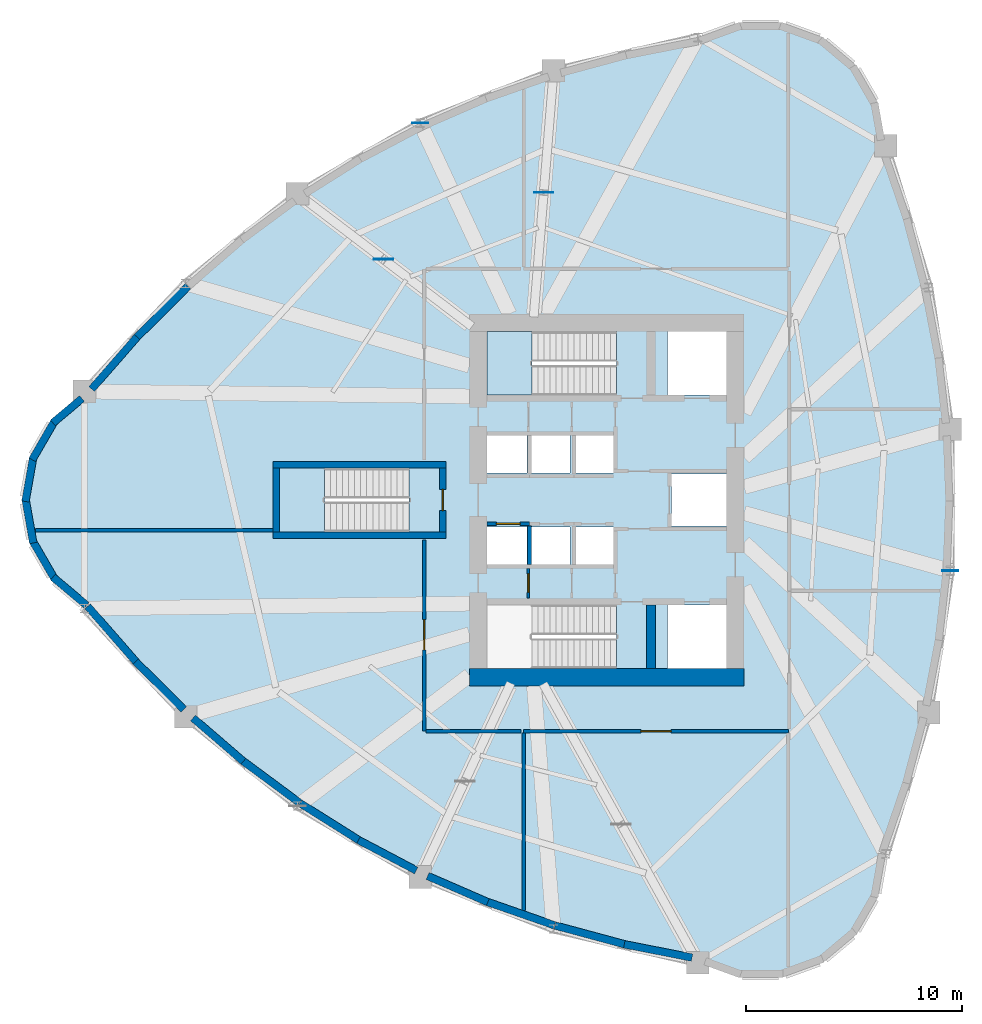
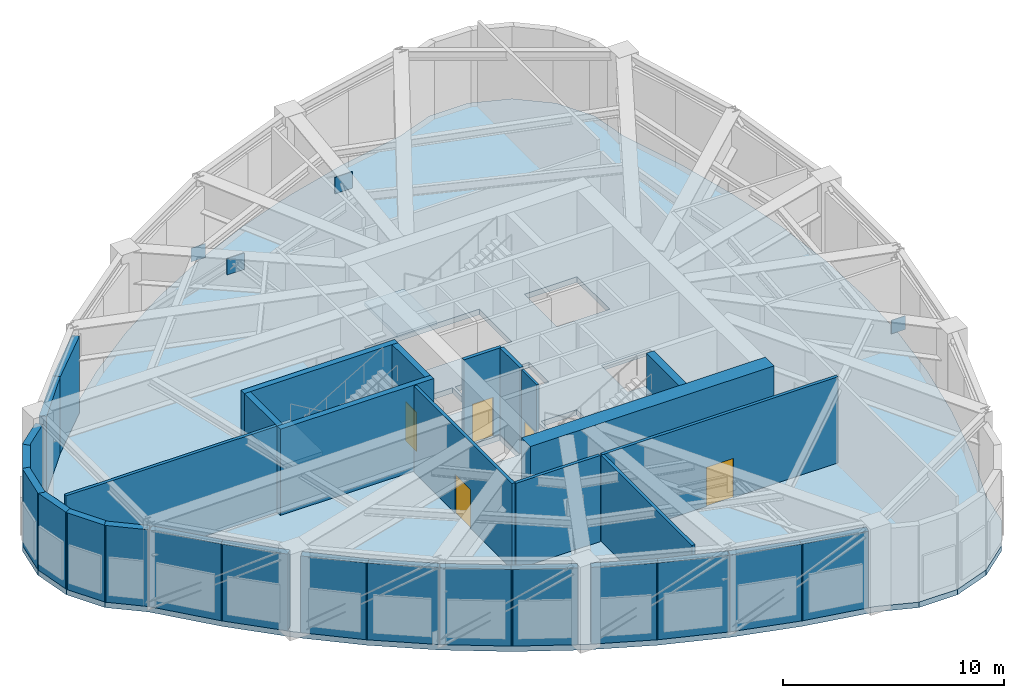
# One storey, part 3 of 9: 32 walls, 5 doors, 4 plates, 3 slabs, 5 openings, 2 elements without a shape of their own.
"""IFC4 building model written with IfcOpenShell, lengths in metres."""

from ifc_helpers import new_model, si_unit, direction, frame, frame_2d, origin, origin_2d, place, context, subcontext, project, spatial, polyline, rectangle, outline, extrude, source, transform, mapped, material, layer, layer_set, type_object, element, fill, aggregate, save


model = new_model("IFC4")

# Units and contexts
model_context = context("Model", 3, precision=1e-05, world=origin(), true_north=direction((0.0, 1.0)))
body_context = subcontext(model_context, "Body", "Model", "MODEL_VIEW")
ifc_project = project(units=[si_unit("LENGTHUNIT", "METRE"), si_unit("AREAUNIT", "SQUARE_METRE"), si_unit("VOLUMEUNIT", "CUBIC_METRE"), si_unit("PLANEANGLEUNIT", "RADIAN"), si_unit("MASSUNIT", "GRAM", prefix="KILO")], contexts=[model_context])

# Site, building, storey
site_placement = place(None, origin())
site = spatial("IfcSite", under=ifc_project, at=site_placement, CompositionType="ELEMENT")
building_placement = place(site_placement, origin())
building = spatial("IfcBuilding", under=site, at=building_placement, Name="Qafzar Sky-Pleat Residences", CompositionType="ELEMENT")
storey_placement = place(building_placement, frame((0.0, 0.0, 65.39990234375)))
storey = spatial("IfcBuildingStorey", under=building, at=storey_placement, Name="L19", CompositionType="ELEMENT", Elevation=65.39990234375)

# Slab
ifc_material_1 = material(Name="Concrete C40/50", Category="concrete")
ifc_layer_1 = layer(ifc_material_1, 0.300048828125)
ifc_layer_set_1 = layer_set([ifc_layer_1], Name="Concrete C40/50")
slab_type_1 = type_object("IfcSlabType", Name="SLAB-FLR-300", PredefinedType="FLOOR", material=ifc_layer_set_1)
slab_1_placement = place(storey_placement, frame((0.0, 0.0, -0.2998046875)))
element("IfcSlab", 1, at=slab_1_placement, inside=storey, type_object=slab_type_1, Name="L19 Structural Floor Slab", PredefinedType="FLOOR", context=body_context, shape_type="SweptSolid", body=[
    extrude(outline(polyline([(6.175048828125, 31.02294921875), (4.6318359375, 29.728271484375), (3.624755859375, 27.983642578125), (3.27490234375, 26.0), (3.624755859375, 24.016357421875), (4.6318359375, 22.271728515625), (6.175048828125, 20.97705078125), (8.453125, 18.3671875), (10.85595703125, 15.97314453125), (13.38330078125, 13.794921875), (16.035400390625, 11.832275390625), (18.811767578125, 10.08544921875), (21.712890625, 8.554443359375), (24.73828125, 7.239013671875), (27.888427734375, 6.139404296875), (31.1630859375, 5.255615234375), (34.5625, 4.58740234375), (36.455322265625, 3.898681640625), (38.4697265625, 3.898681640625), (40.362548828125, 4.58740234375), (41.905517578125, 5.88232421875), (42.91259765625, 7.626708984375), (43.262451171875, 9.610595703125), (44.383544921875, 12.888427734375), (45.255615234375, 16.166259765625), (45.87841796875, 19.444091796875), (46.251953125, 22.72216796875), (46.37646484375, 26.0), (46.251953125, 29.27783203125), (45.87841796875, 32.555908203125), (45.255615234375, 35.833740234375), (44.383544921875, 39.111572265625), (43.262451171875, 42.389404296875), (42.91259765625, 44.373291015625), (41.905517578125, 46.11767578125), (40.362548828125, 47.41259765625), (38.4697265625, 48.101318359375), (36.455322265625, 48.101318359375), (34.5625, 47.41259765625), (31.1630859375, 46.744384765625), (27.888427734375, 45.860595703125), (24.73828125, 44.760986328125), (21.712890625, 43.445556640625), (18.811767578125, 41.91455078125), (16.035400390625, 40.167724609375), (13.38330078125, 38.205078125), (10.85595703125, 36.02685546875), (8.453125, 33.6328125), (6.175048828125, 31.02294921875)]), holes=[polyline([(30.797119140625, 21.14990234375), (24.800048828125, 21.14990234375), (24.800048828125, 18.199951171875), (30.797119140625, 18.199951171875), (30.797119140625, 21.14990234375)]), polyline([(30.797119140625, 33.800048828125), (24.800048828125, 33.800048828125), (24.800048828125, 30.85009765625), (30.797119140625, 30.85009765625), (30.797119140625, 33.800048828125)]), polyline([(21.197021484375, 27.47509765625), (15.199951171875, 27.47509765625), (15.199951171875, 24.52490234375), (21.197021484375, 24.52490234375), (21.197021484375, 27.47509765625)]), polyline([(24.800048828125, 22.949951171875), (26.64990234375, 22.949951171875), (26.64990234375, 24.75), (24.800048828125, 24.75), (24.800048828125, 22.949951171875)]), polyline([(26.800048828125, 22.949951171875), (28.64990234375, 22.949951171875), (28.64990234375, 24.75), (26.800048828125, 24.75), (26.800048828125, 22.949951171875)]), polyline([(28.800048828125, 22.949951171875), (30.64990234375, 22.949951171875), (30.64990234375, 24.75), (28.800048828125, 24.75), (28.800048828125, 22.949951171875)]), polyline([(24.800048828125, 27.25), (26.64990234375, 27.25), (26.64990234375, 29.050048828125), (24.800048828125, 29.050048828125), (24.800048828125, 27.25)]), polyline([(26.800048828125, 27.25), (28.64990234375, 27.25), (28.64990234375, 29.050048828125), (26.800048828125, 29.050048828125), (26.800048828125, 27.25)]), polyline([(28.800048828125, 27.25), (30.64990234375, 27.25), (30.64990234375, 29.050048828125), (28.800048828125, 29.050048828125), (28.800048828125, 27.25)]), polyline([(33.14990234375, 18.199951171875), (35.89990234375, 18.199951171875), (35.89990234375, 21.14990234375), (33.14990234375, 21.14990234375), (33.14990234375, 18.199951171875)]), polyline([(33.14990234375, 30.85009765625), (35.89990234375, 30.85009765625), (35.89990234375, 33.800048828125), (33.14990234375, 33.800048828125), (33.14990234375, 30.85009765625)]), polyline([(33.35009765625, 24.800048828125), (35.89990234375, 24.800048828125), (35.89990234375, 27.199951171875), (33.35009765625, 27.199951171875), (33.35009765625, 24.800048828125)])]), origin(), (0.0, 0.0, 1.0), 0.2998046875),
])

# Stair, slab
stair_type = type_object("IfcStairType", Name="STAIR-H500", PredefinedType="HALF_TURN_STAIR", material=ifc_material_1)
stair_1_placement = place(storey_placement, origin())
stair_1 = element("IfcStair", 2, at=stair_1_placement, inside=storey, type_object=stair_type, Name="L19 Protected Exit Stair ST2", PredefinedType="HALF_TURN_STAIR")
ifc_layer_2 = layer(ifc_material_1, 0.199951171875)
ifc_layer_set_2 = layer_set([ifc_layer_2], Name="Concrete C40/50")
slab_type_2 = type_object("IfcSlabType", Name="SLAB-LANDING-200", PredefinedType="LANDING", material=ifc_layer_set_2)
slab_2_placement = place(storey_placement, frame((0.0, 0.0, 2.300048828125)))
slab_2 = element("IfcSlab", 3, at=slab_2_placement, type_object=slab_type_2, Name="ST2 landing 1", PredefinedType="LANDING", context=body_context, shape_type="SweptSolid", body=[
    extrude(outline(polyline([(26.8798828125, 33.800048828125), (24.800048828125, 33.800048828125), (24.800048828125, 30.85009765625), (26.8798828125, 30.85009765625), (26.8798828125, 33.800048828125)])), origin(), (0.0, 0.0, 1.0), 0.199951171875),
])
aggregate(stair_1, [slab_2])

stair_2_placement = place(storey_placement, origin())
stair_2 = element("IfcStair", 4, at=stair_2_placement, inside=storey, type_object=stair_type, Name="L19 Protected Exit Stair ST3", PredefinedType="HALF_TURN_STAIR")
slab_3_placement = place(storey_placement, frame((0.0, 0.0, 2.300048828125)))
slab_3 = element("IfcSlab", 5, at=slab_3_placement, type_object=slab_type_2, Name="ST3 landing 1", PredefinedType="LANDING", context=body_context, shape_type="SweptSolid", body=[
    extrude(outline(polyline([(17.280029296875, 27.47509765625), (15.199951171875, 27.47509765625), (15.199951171875, 24.52490234375), (17.280029296875, 24.52490234375), (17.280029296875, 27.47509765625)])), origin(), (0.0, 0.0, 1.0), 0.199951171875),
])
aggregate(stair_2, [slab_3])

# Plates
ifc_material_2 = material(Name="Steel S355", Category="steel")
ifc_layer_3 = layer(ifc_material_2, 0.030029296875)
ifc_layer_set_3 = layer_set([ifc_layer_3], Name="Steel S355")
plate_type_1 = type_object("IfcPlateType", Name="PLT-NODE-BN1", PredefinedType="USERDEFINED", material=ifc_layer_set_3)
shared_shape_1 = source(origin(), body_context, "Body", "SweptSolid", [
    extrude(rectangle(XDim=0.75, YDim=0.030029296875, at=origin_2d()), origin(), (0.0, 0.0, 1.0), 0.75),
])
for number, where, z_axis, x_axis, name in (
    (6, (46.251953125, 22.72216796875, 0.0751953125), (0.0, 0.0, 1.0), (1.0, 0.0, 0.0), "L19 Belt-Truss Node Plate 10"),
    (7, (21.712890625, 43.445556640625, 0.0751953125), (0.0, 0.0, 1.0), (1.0, 0.0, 0.0), "L19 Belt-Truss Node Plate 16"),
):
    element("IfcPlate", number, at=place(storey_placement, frame(where, z_axis=z_axis, x_axis=x_axis)), inside=storey, type_object=plate_type_1, Name=name, ObjectType="GUSSET_PLATE", PredefinedType="USERDEFINED", context=body_context, shape_type="MappedRepresentation", body=[
        mapped(shared_shape_1, transform((0.0, 0.0, 0.0), x_axis=(1.0, 0.0, 0.0), y_axis=(0.0, 1.0, 0.0), z_axis=(0.0, 0.0, 1.0), scale=1.0)),
    ])
ifc_layer_4 = layer(ifc_material_2, 0.034912109375)
ifc_layer_set_4 = layer_set([ifc_layer_4], Name="Steel S355")
plate_type_2 = type_object("IfcPlateType", Name="PLT-NODE-ON1", PredefinedType="USERDEFINED", material=ifc_layer_set_4)
shared_shape_2 = source(origin(), body_context, "Body", "SweptSolid", [
    extrude(rectangle(XDim=0.89990234375, YDim=0.034912109375, at=origin_2d()), origin(), (0.0, 0.0, 1.0), 0.89990234375),
])
for number, where, z_axis, x_axis, name in (
    (8, (27.432861328125, 40.230224609375, 3.800048828125), (0.0, 0.0, 1.0), (1.0, 0.0, 0.0), "L19 Outrigger Gusset Node 8"),
    (9, (20.017578125, 37.1396484375, 3.800048828125), (0.0, 0.0, 1.0), (1.0, 0.0, 0.0), "L19 Outrigger Gusset Node 9"),
):
    element("IfcPlate", number, at=place(storey_placement, frame(where, z_axis=z_axis, x_axis=x_axis)), inside=storey, type_object=plate_type_2, Name=name, ObjectType="GUSSET_PLATE", PredefinedType="USERDEFINED", context=body_context, shape_type="MappedRepresentation", body=[
        mapped(shared_shape_2, transform((0.0, 0.0, 0.0), x_axis=(1.0, 0.0, 0.0), y_axis=(0.0, 1.0, 0.0), z_axis=(0.0, 0.0, 1.0), scale=1.0)),
    ])

# Wall, opening, door
ifc_material_3 = material(Name="Acoustic gypsum plasterboard partition", Category="gypsum")
ifc_layer_5 = layer(ifc_material_3, 0.159912109375)
ifc_layer_set_5 = layer_set([ifc_layer_5], Name="Acoustic gypsum plasterboard partition")
wall_type_1 = type_object("IfcWallType", Name="PART-COR-160", PredefinedType="PARTITIONING", material=ifc_layer_set_5)
wall_1_placement = place(storey_placement, frame((38.764892578125, 15.300048828125, 0.0), z_axis=(0.0, 0.0, 1.0), x_axis=(-1.0, 0.0, 0.0)))
wall_1 = element("IfcWall", 10, at=wall_1_placement, inside=storey, type_object=wall_type_1, Name="L19 Partition Wall PART-L19-PW-002", PredefinedType="PARTITIONING", context=body_context, shape_type="SweptSolid", body=[
    extrude(rectangle(XDim=12.27978515625, YDim=0.159912109375, at=frame_2d((6.139892578125, 0.0))), origin(), (0.0, 0.0, 1.0), 4.75),
])
opening_1_placement = place(wall_1_placement, frame((5.43994140625, 0.0, 0.0)))
opening_1 = element("IfcOpeningElement", 11, at=opening_1_placement, cuts=wall_1, Name="Opening ID-10", PredefinedType="OPENING", context=body_context, shape_type="SweptSolid", body=[
    extrude(rectangle(XDim=1.39990234375, YDim=2.14990234375, at=frame_2d((0.699951171875, 1.074951171875))), frame((0.0, 0.08984375, 0.0), z_axis=(0.0, -1.0, 0.0), x_axis=(1.0, 0.0, 0.0)), (0.0, 0.0, 1.0), 0.179931640625),
])
ifc_material_4 = material(Name="Timber-faced fire door", Category="wood")
door_type_1 = type_object("IfcDoorType", Name="DR-PLANT-1400", OperationType="DOUBLE_DOOR_SINGLE_SWING", PredefinedType="DOOR", material=ifc_material_4)
shared_shape_3 = source(origin(), body_context, "Body", "SweptSolid", [
    extrude(rectangle(XDim=1.39990234375, YDim=2.14990234375, at=frame_2d((0.699951171875, 1.074951171875))), frame((0.0, 0.02490234375, 0.0), z_axis=(0.0, -1.0, 0.0), x_axis=(1.0, 0.0, 0.0)), (0.0, 0.0, 1.0), 0.050048828125),
])
door_1_placement = place(opening_1_placement, origin())
door_1 = element("IfcDoor", 12, at=door_1_placement, inside=storey, type_object=door_type_1, Name="L19 HV Transformer and Switchgear Plant Room Door", OperationType="DOUBLE_DOOR_SINGLE_SWING", OverallHeight=2.14990234375, OverallWidth=1.39990234375, PredefinedType="DOOR", context=body_context, shape_type="MappedRepresentation", body=[
    mapped(shared_shape_3, transform((0.0, 0.0, 0.0), x_axis=(1.0, 0.0, 0.0), y_axis=(0.0, 1.0, 0.0), z_axis=(0.0, 0.0, 1.0), scale=1.0)),
])
fill(opening_1, door_1)

wall_2_placement = place(storey_placement, frame((21.89990234375, 15.300048828125, 0.0), z_axis=(0.0, 0.0, 1.0), x_axis=(0.0, 1.0, 0.0)))
wall_2 = element("IfcWall", 13, at=wall_2_placement, inside=storey, type_object=wall_type_1, Name="L19 Partition Wall PART-L19-PW-004", PredefinedType="PARTITIONING", context=body_context, shape_type="SweptSolid", body=[
    extrude(rectangle(XDim=8.849853515625, YDim=0.159912109375, at=frame_2d((4.4248046875, 0.0))), origin(), (0.0, 0.0, 1.0), 4.75),
])
opening_2_placement = place(wall_2_placement, frame((3.762451171875, 0.0, 0.0)))
opening_2 = element("IfcOpeningElement", 14, at=opening_2_placement, cuts=wall_2, Name="Opening ID-10", PredefinedType="OPENING", context=body_context, shape_type="SweptSolid", body=[
    extrude(rectangle(XDim=1.39990234375, YDim=2.14990234375, at=frame_2d((0.699951171875, 1.074951171875))), frame((0.0, 0.08984375, 0.0), z_axis=(0.0, -1.0, 0.0), x_axis=(1.0, 0.0, 0.0)), (0.0, 0.0, 1.0), 0.179931640625),
])
door_2_placement = place(opening_2_placement, origin())
door_2 = element("IfcDoor", 15, at=door_2_placement, inside=storey, type_object=door_type_1, Name="L19 AHU Ventilation Plant Room Door", OperationType="DOUBLE_DOOR_SINGLE_SWING", OverallHeight=2.14990234375, OverallWidth=1.39990234375, PredefinedType="DOOR", context=body_context, shape_type="MappedRepresentation", body=[
    mapped(shared_shape_3, transform((0.0, 0.0, 0.0), x_axis=(1.0, 0.0, 0.0), y_axis=(0.0, 1.0, 0.0), z_axis=(0.0, 0.0, 1.0), scale=1.0)),
])
fill(opening_2, door_2)

# Walls
wall_3_placement = place(storey_placement, frame((3.8994140625, 24.60009765625, 0.0), z_axis=(0.0, 0.0, 1.0), x_axis=(1.0, 0.0, 0.0)))
element("IfcWall", 16, at=wall_3_placement, inside=storey, type_object=wall_type_1, Name="L19 Partition Wall PART-L19-PW-008", PredefinedType="PARTITIONING", context=body_context, shape_type="SweptSolid", body=[
    extrude(rectangle(XDim=10.99267578125, YDim=0.159912109375, at=frame_2d((5.496337890625, 0.0))), origin(), (0.0, 0.0, 1.0), 4.75),
])
wall_4_placement = place(storey_placement, frame((26.5, 7.0068359375, 0.0), z_axis=(0.0, 0.0, 1.0), x_axis=(0.0, 1.0, 0.0)))
element("IfcWall", 17, at=wall_4_placement, inside=storey, type_object=wall_type_1, Name="L19 Partition Wall PART-L19-PW-011", PredefinedType="PARTITIONING", context=body_context, shape_type="SweptSolid", body=[
    extrude(rectangle(XDim=8.205078125, YDim=0.159912109375, at=frame_2d((4.1025390625, 0.0))), origin(), (0.0, 0.0, 1.0), 4.75),
])
wall_5_placement = place(storey_placement, frame((21.988037109375, 15.300048828125, 0.0), z_axis=(0.0, 0.0, 1.0), x_axis=(1.0, 0.0, 0.0)))
element("IfcWall", 18, at=wall_5_placement, inside=storey, type_object=wall_type_1, Name="L19 Partition Wall PART-L19-PW-016", PredefinedType="PARTITIONING", context=body_context, shape_type="SweptSolid", body=[
    extrude(rectangle(XDim=4.39404296875, YDim=0.159912109375, at=frame_2d((2.197021484375, 0.0))), origin(), (0.0, 0.0, 1.0), 4.75),
])

# Wall, opening, door
ifc_material_5 = material(Name="Concrete blockwork partition", Category="masonry")
ifc_layer_6 = layer(ifc_material_5, 0.179931640625)
ifc_layer_set_6 = layer_set([ifc_layer_6], Name="Concrete blockwork partition")
wall_type_2 = type_object("IfcWallType", Name="PART-SHAFT-180", PredefinedType="PARTITIONING", material=ifc_layer_set_6)
wall_6_placement = place(storey_placement, frame((24.81005859375, 24.89990234375, 0.0), z_axis=(0.0, 0.0, 1.0), x_axis=(1.0, 0.0, 0.0)))
wall_6 = element("IfcWall", 19, at=wall_6_placement, inside=storey, type_object=wall_type_2, Name="L19 Partition Wall PART-L19-P1-N", PredefinedType="PARTITIONING", context=body_context, shape_type="SweptSolid", body=[
    extrude(rectangle(XDim=1.96484375, YDim=0.179931640625, at=frame_2d((0.982421875, 0.0))), origin(), (0.0, 0.0, 1.0), 4.75),
])
opening_3_placement = place(wall_6_placement, frame((0.4326171875, 0.0, 0.0)))
opening_3 = element("IfcOpeningElement", 20, at=opening_3_placement, cuts=wall_6, Name="Opening LD-01", PredefinedType="OPENING", context=body_context, shape_type="SweptSolid", body=[
    extrude(rectangle(XDim=1.10009765625, YDim=2.14990234375, at=frame_2d((0.550048828125, 1.074951171875))), frame((0.0, 0.10009765625, 0.0), z_axis=(0.0, -1.0, 0.0), x_axis=(1.0, 0.0, 0.0)), (0.0, 0.0, 1.0), 0.199951171875),
])
ifc_material_6 = material(Name="Stainless steel sliding landing door", Category="steel")
door_type_2 = type_object("IfcDoorType", Name="DR-LIFT-P", OperationType="DOUBLE_DOOR_SLIDING", PredefinedType="DOOR", material=ifc_material_6)
shared_shape_4 = source(origin(), body_context, "Body", "SweptSolid", [
    extrude(rectangle(XDim=1.10009765625, YDim=2.14990234375, at=frame_2d((0.550048828125, 1.074951171875))), frame((0.0, 0.02490234375, 0.0), z_axis=(0.0, -1.0, 0.0), x_axis=(1.0, 0.0, 0.0)), (0.0, 0.0, 1.0), 0.050048828125),
])
door_3_placement = place(opening_3_placement, origin())
door_3 = element("IfcDoor", 21, at=door_3_placement, inside=storey, type_object=door_type_2, Name="L19 Passenger Lift P1 Landing Door", OperationType="DOUBLE_DOOR_SLIDING", OverallHeight=2.14990234375, OverallWidth=1.10009765625, PredefinedType="DOOR", context=body_context, shape_type="MappedRepresentation", body=[
    mapped(shared_shape_4, transform((0.0, 0.0, 0.0), x_axis=(1.0, 0.0, 0.0), y_axis=(0.0, 1.0, 0.0), z_axis=(0.0, 0.0, 1.0), scale=1.0)),
])
fill(opening_3, door_3)

# Wall
wall_7_placement = place(storey_placement, frame((26.77490234375, 23.02001953125, 0.0), z_axis=(0.0, 0.0, 1.0), x_axis=(0.0, 1.0, 0.0)))
element("IfcWall", 22, at=wall_7_placement, inside=storey, type_object=wall_type_2, Name="L19 Partition Wall PART-L19-P13-DIV-1", PredefinedType="PARTITIONING", context=body_context, shape_type="SweptSolid", body=[
    extrude(rectangle(XDim=1.780029296875, YDim=0.179931640625, at=frame_2d((0.89013671875, 0.0))), origin(), (0.0, 0.0, 1.0), 4.75),
])

# Wall, opening, door
ifc_material_7 = material(Name="Gypsum plasterboard partition", Category="gypsum")
ifc_layer_7 = layer(ifc_material_7, 0.114990234375)
ifc_layer_set_7 = layer_set([ifc_layer_7], Name="Gypsum plasterboard partition")
wall_type_3 = type_object("IfcWallType", Name="PART-SVC-115", PredefinedType="PARTITIONING", material=ifc_layer_set_7)
wall_8_placement = place(storey_placement, frame((26.72509765625, 21.4599609375, 0.0), z_axis=(0.0, 0.0, 1.0), x_axis=(0.0, 1.0, 0.0)))
wall_8 = element("IfcWall", 23, at=wall_8_placement, inside=storey, type_object=wall_type_3, Name="L19 Partition Wall PART-L19-KC-SW-1", PredefinedType="PARTITIONING", context=body_context, shape_type="SweptSolid", body=[
    extrude(rectangle(XDim=1.380126953125, YDim=0.114990234375, at=frame_2d((0.68994140625, 0.0))), origin(), (0.0, 0.0, 1.0), 4.75),
])
opening_4_placement = place(wall_8_placement, frame((0.260009765625, 0.0, 0.0)))
opening_4 = element("IfcOpeningElement", 24, at=opening_4_placement, cuts=wall_8, Name="Opening ID-09", PredefinedType="OPENING", context=body_context, shape_type="SweptSolid", body=[
    extrude(rectangle(XDim=0.860107421875, YDim=2.050048828125, at=frame_2d((0.43017578125, 1.02490234375))), frame((0.0, 0.0673828125, 0.0), z_axis=(0.0, -1.0, 0.0), x_axis=(1.0, 0.0, 0.0)), (0.0, 0.0, 1.0), 0.135009765625),
])
door_type_3 = type_object("IfcDoorType", Name="DR-SVC-860", OperationType="NOTDEFINED", PredefinedType="DOOR", material=ifc_material_4)
shared_shape_5 = source(origin(), body_context, "Body", "SweptSolid", [
    extrude(rectangle(XDim=0.860107421875, YDim=2.050048828125, at=frame_2d((0.43017578125, 1.02490234375))), frame((0.0, 0.02490234375, 0.0), z_axis=(0.0, -1.0, 0.0), x_axis=(1.0, 0.0, 0.0)), (0.0, 0.0, 1.0), 0.050048828125),
])
door_4_placement = place(opening_4_placement, origin())
door_4 = element("IfcDoor", 25, at=door_4_placement, inside=storey, type_object=door_type_3, Name="L19 Core South Cupboard 1 Door", OperationType="SINGLE_SWING_LEFT", OverallHeight=2.050048828125, OverallWidth=0.860107421875, PredefinedType="DOOR", context=body_context, shape_type="MappedRepresentation", body=[
    mapped(shared_shape_5, transform((0.0, 0.0, 0.0), x_axis=(1.0, 0.0, 0.0), y_axis=(0.0, 1.0, 0.0), z_axis=(0.0, 0.0, 1.0), scale=1.0)),
])
fill(opening_4, door_4)

# Walls
ifc_material_8 = material(Name="Precast concrete C40/50 with honed Riyadh limestone", Category="concrete")
ifc_layer_8 = layer(ifc_material_8, 0.35009765625)
ifc_layer_set_8 = layer_set([ifc_layer_8], Name="Precast concrete C40/50 with honed Riyadh limestone")
wall_type_4 = type_object("IfcWallType", Name="WALL-EXT-350", PredefinedType="SOLIDWALL", material=ifc_layer_set_8)
wall_9_placement = place(storey_placement, frame((6.0576171875, 30.696044921875, 0.0), z_axis=(0.0, 0.0, 1.0), x_axis=(-0.766001205563, -0.64283913468, 0.0)))
element("IfcWall", 26, at=wall_9_placement, inside=storey, type_object=wall_type_4, Name="L19 Limestone Facade Wall 1", PredefinedType="SOLIDWALL", context=body_context, shape_type="SweptSolid", body=[
    extrude(rectangle(XDim=1.75244140625, YDim=0.35009765625, at=frame_2d((0.876220703125, 0.0))), origin(), (0.0, 0.0, 1.0), 4.22998046875),
])
for number, where, z_axis, x_axis, name in (
    (27, (4.802490234375, 29.673583984375, 0.0), (0.0, 0.0, 1.0), (-0.499995423472, -0.866028046028, 0.0), "L19 Limestone Facade Wall 2"),
    (28, (3.8037109375, 27.99072265625, 0.0), (0.0, 0.0, 1.0), (-0.173672066494, -0.984803540469, 0.0), "L19 Limestone Facade Wall 3"),
    (29, (3.440673828125, 26.06787109375, 0.0), (0.0, 0.0, 1.0), (0.173672066494, -0.984803540469, 0.0), "L19 Limestone Facade Wall 4"),
    (30, (3.75732421875, 24.13671875, 0.0), (0.0, 0.0, 1.0), (0.499995423472, -0.866028046028, 0.0), "L19 Limestone Facade Wall 5"),
):
    element("IfcWall", number, at=place(storey_placement, frame(where, z_axis=z_axis, x_axis=x_axis)), inside=storey, type_object=wall_type_4, Name=name, PredefinedType="SOLIDWALL", context=body_context, shape_type="SweptSolid", body=[
        extrude(rectangle(XDim=2.09033203125, YDim=0.35009765625, at=frame_2d((1.045166015625, 0.0))), origin(), (0.0, 0.0, 1.0), 4.22998046875),
    ])
wall_10_placement = place(storey_placement, frame((4.71533203125, 22.430419921875, 0.0), z_axis=(0.0, 0.0, 1.0), x_axis=(0.766040796373, -0.642791955684, 0.0)))
element("IfcWall", 31, at=wall_10_placement, inside=storey, type_object=wall_type_4, Name="L19 Limestone Facade Wall 6", PredefinedType="SOLIDWALL", context=body_context, shape_type="SweptSolid", body=[
    extrude(rectangle(XDim=2.032470703125, YDim=0.35009765625, at=frame_2d((1.01611328125, 0.0))), origin(), (0.0, 0.0, 1.0), 4.22998046875),
])
wall_11_placement = place(storey_placement, frame((6.320068359375, 21.0771484375, 0.0), z_axis=(0.0, 0.0, 1.0), x_axis=(0.657600811823, -0.753366559046, 0.0)))
element("IfcWall", 32, at=wall_11_placement, inside=storey, type_object=wall_type_4, Name="L19 Limestone Facade Wall 7", PredefinedType="SOLIDWALL", context=body_context, shape_type="SweptSolid", body=[
    extrude(rectangle(XDim=3.482421875, YDim=0.35009765625, at=frame_2d((1.7412109375, 0.0))), origin(), (0.0, 0.0, 1.0), 4.22998046875),
])
wall_12_placement = place(storey_placement, frame((8.5498046875, 18.51806640625, 0.0), z_axis=(0.0, 0.0, 1.0), x_axis=(0.708392603797, -0.705818616137, 0.0)))
element("IfcWall", 33, at=wall_12_placement, inside=storey, type_object=wall_type_4, Name="L19 Limestone Facade Wall 8", PredefinedType="SOLIDWALL", context=body_context, shape_type="SweptSolid", body=[
    extrude(rectangle(XDim=3.130126953125, YDim=0.35009765625, at=frame_2d((1.56494140625, 0.0))), origin(), (0.0, 0.0, 1.0), 4.22998046875),
])
wall_13_placement = place(storey_placement, frame((11.197509765625, 15.909912109375, 0.0), z_axis=(0.0, 0.0, 1.0), x_axis=(0.757460062477, -0.652881500544, 0.0)))
element("IfcWall", 34, at=wall_13_placement, inside=storey, type_object=wall_type_4, Name="L19 Limestone Facade Wall 9", PredefinedType="SOLIDWALL", context=body_context, shape_type="SweptSolid", body=[
    extrude(rectangle(XDim=3.074462890625, YDim=0.35009765625, at=frame_2d((1.537109375, 0.0))), origin(), (0.0, 0.0, 1.0), 4.22998046875),
])
wall_14_placement = place(storey_placement, frame((13.45703125, 13.958251953125, 0.0), z_axis=(0.0, 0.0, 1.0), x_axis=(0.803790514758, -0.594912437578, 0.0)))
element("IfcWall", 35, at=wall_14_placement, inside=storey, type_object=wall_type_4, Name="L19 Limestone Facade Wall 10", PredefinedType="SOLIDWALL", context=body_context, shape_type="SweptSolid", body=[
    extrude(rectangle(XDim=3.317138671875, YDim=0.35009765625, at=frame_2d((1.65869140625, 0.0))), origin(), (0.0, 0.0, 1.0), 4.22998046875),
])
wall_15_placement = place(storey_placement, frame((16.1455078125, 11.9697265625, 0.0), z_axis=(0.0, 0.0, 1.0), x_axis=(0.846405860611, -0.532538373381, 0.0)))
element("IfcWall", 36, at=wall_15_placement, inside=storey, type_object=wall_type_4, Name="L19 Limestone Facade Wall 11", PredefinedType="SOLIDWALL", context=body_context, shape_type="SweptSolid", body=[
    extrude(rectangle(XDim=3.298095703125, YDim=0.35009765625, at=frame_2d((1.64892578125, 0.0))), origin(), (0.0, 0.0, 1.0), 4.22998046875),
])
wall_16_placement = place(storey_placement, frame((18.85986328125, 10.258056640625, 0.0), z_axis=(0.0, 0.0, 1.0), x_axis=(0.884375478211, -0.46677619213, 0.0)))
element("IfcWall", 37, at=wall_16_placement, inside=storey, type_object=wall_type_4, Name="L19 Limestone Facade Wall 12", PredefinedType="SOLIDWALL", context=body_context, shape_type="SweptSolid", body=[
    extrude(rectangle(XDim=3.0185546875, YDim=0.35009765625, at=frame_2d((1.50927734375, 0.0))), origin(), (0.0, 0.0, 1.0), 4.22998046875),
])
wall_17_placement = place(storey_placement, frame((22.0576171875, 8.59521484375, 0.0), z_axis=(0.0, 0.0, 1.0), x_axis=(0.917112224483, -0.398629110458, 0.0)))
element("IfcWall", 38, at=wall_17_placement, inside=storey, type_object=wall_type_4, Name="L19 Limestone Facade Wall 13", PredefinedType="SOLIDWALL", context=body_context, shape_type="SweptSolid", body=[
    extrude(rectangle(XDim=3.037109375, YDim=0.35009765625, at=frame_2d((1.5185546875, 0.0))), origin(), (0.0, 0.0, 1.0), 4.22998046875),
])
wall_18_placement = place(storey_placement, frame((24.76025390625, 7.416748046875, 0.0), z_axis=(0.0, 0.0, 1.0), x_axis=(0.944134890247, -0.329559264804, 0.0)))
element("IfcWall", 39, at=wall_18_placement, inside=storey, type_object=wall_type_4, Name="L19 Limestone Facade Wall 14", PredefinedType="SOLIDWALL", context=body_context, shape_type="SweptSolid", body=[
    extrude(rectangle(XDim=3.3544921875, YDim=0.35009765625, at=frame_2d((1.67724609375, 0.0))), origin(), (0.0, 0.0, 1.0), 4.22998046875),
])
wall_19_placement = place(storey_placement, frame((27.953369140625, 6.30322265625, 0.0), z_axis=(0.0, 0.0, 1.0), x_axis=(0.965464207527, -0.260535724968, 0.0)))
element("IfcWall", 40, at=wall_19_placement, inside=storey, type_object=wall_type_4, Name="L19 Limestone Facade Wall 15", PredefinedType="SOLIDWALL", context=body_context, shape_type="SweptSolid", body=[
    extrude(rectangle(XDim=3.409912109375, YDim=0.35009765625, at=frame_2d((1.705078125, 0.0))), origin(), (0.0, 0.0, 1.0), 4.22998046875),
])
wall_20_placement = place(storey_placement, frame((31.15966796875, 5.4345703125, 0.0), z_axis=(0.0, 0.0, 1.0), x_axis=(0.981237747431, -0.192801667567, 0.0)))
element("IfcWall", 41, at=wall_20_placement, inside=storey, type_object=wall_type_4, Name="L19 Limestone Facade Wall 16", PredefinedType="SOLIDWALL", context=body_context, shape_type="SweptSolid", body=[
    extrude(rectangle(XDim=3.202392578125, YDim=0.35009765625, at=frame_2d((1.60107421875, 0.0))), origin(), (0.0, 0.0, 1.0), 4.22998046875),
])
wall_21_placement = place(storey_placement, frame((10.96533203125, 35.888671875, 0.0), z_axis=(0.0, 0.0, 1.0), x_axis=(-0.708394377581, -0.70581683588, 0.0)))
element("IfcWall", 42, at=wall_21_placement, inside=storey, type_object=wall_type_4, Name="L19 Limestone Facade Wall 47", PredefinedType="SOLIDWALL", context=body_context, shape_type="SweptSolid", body=[
    extrude(rectangle(XDim=3.409912109375, YDim=0.35009765625, at=frame_2d((1.705078125, 0.0))), origin(), (0.0, 0.0, 1.0), 4.22998046875),
])
wall_22_placement = place(storey_placement, frame((8.610107421875, 33.54638671875, 0.0), z_axis=(0.0, 0.0, 1.0), x_axis=(-0.657608204376, -0.753360106149, 0.0)))
element("IfcWall", 43, at=wall_22_placement, inside=storey, type_object=wall_type_4, Name="L19 Limestone Facade Wall 48", PredefinedType="SOLIDWALL", context=body_context, shape_type="SweptSolid", body=[
    extrude(rectangle(XDim=3.202392578125, YDim=0.35009765625, at=frame_2d((1.60107421875, 0.0))), origin(), (0.0, 0.0, 1.0), 4.22998046875),
])
ifc_material_9 = material(Name="Concrete C60/75", Category="concrete")
ifc_layer_9 = layer(ifc_material_9, 0.300048828125)
ifc_layer_set_9 = layer_set([ifc_layer_9], Name="Concrete C60/75")
wall_type_5 = type_object("IfcWallType", Name="WALL-SHEAR-300", PredefinedType="SHEAR", material=ifc_layer_set_9)
for number, where, z_axis, x_axis, name in (
    (44, (14.89990234375, 24.375, 0.0), (0.0, 0.0, 1.0), (1.0, 0.0, 0.0), "L19 ST3 wall S"),
    (45, (22.89990234375, 27.625, 0.0), (0.0, 0.0, 1.0), (-1.0, 0.0, 0.0), "L19 ST3 wall N"),
):
    element("IfcWall", number, at=place(storey_placement, frame(where, z_axis=z_axis, x_axis=x_axis)), inside=storey, type_object=wall_type_5, Name=name, PredefinedType="SHEAR", context=body_context, shape_type="SweptSolid", body=[
        extrude(rectangle(XDim=8.0, YDim=0.300048828125, at=frame_2d((4.0, 0.0))), origin(), (0.0, 0.0, 1.0), 4.75),
    ])
wall_23_placement = place(storey_placement, frame((15.050048828125, 27.47509765625, 0.0), z_axis=(0.0, 0.0, 1.0), x_axis=(0.0, -1.0, 0.0)))
element("IfcWall", 46, at=wall_23_placement, inside=storey, type_object=wall_type_5, Name="L19 ST3 wall W", PredefinedType="SHEAR", context=body_context, shape_type="SweptSolid", body=[
    extrude(rectangle(XDim=2.9501953125, YDim=0.300048828125, at=frame_2d((1.47509765625, 0.0))), origin(), (0.0, 0.0, 1.0), 4.75),
])

# Wall, opening, door
wall_24_placement = place(storey_placement, frame((22.75, 24.52490234375, 0.0), z_axis=(0.0, 0.0, 1.0), x_axis=(0.0, 1.0, 0.0)))
wall_24 = element("IfcWall", 47, at=wall_24_placement, inside=storey, type_object=wall_type_5, Name="L19 ST3 wall E", PredefinedType="SHEAR", context=body_context, shape_type="SweptSolid", body=[
    extrude(rectangle(XDim=2.9501953125, YDim=0.300048828125, at=frame_2d((1.47509765625, 0.0))), origin(), (0.0, 0.0, 1.0), 4.75),
])
opening_5_placement = place(wall_24_placement, frame((0.985107421875, 0.0, 0.0)))
opening_5 = element("IfcOpeningElement", 48, at=opening_5_placement, cuts=wall_24, Name="Opening ID-01", PredefinedType="OPENING", context=body_context, shape_type="SweptSolid", body=[
    extrude(rectangle(XDim=0.97998046875, YDim=2.14990234375, at=frame_2d((0.489990234375, 1.074951171875))), frame((0.0, 0.16015625, 0.0), z_axis=(0.0, -1.0, 0.0), x_axis=(1.0, 0.0, 0.0)), (0.0, 0.0, 1.0), 0.320068359375),
])
door_type_4 = type_object("IfcDoorType", Name="DR-STAIR-980", OperationType="NOTDEFINED", PredefinedType="DOOR", material=ifc_material_4)
shared_shape_6 = source(origin(), body_context, "Body", "SweptSolid", [
    extrude(rectangle(XDim=0.97998046875, YDim=2.14990234375, at=frame_2d((0.489990234375, 1.074951171875))), frame((0.0, 0.02490234375, 0.0), z_axis=(0.0, -1.0, 0.0), x_axis=(1.0, 0.0, 0.0)), (0.0, 0.0, 1.0), 0.050048828125),
])
door_5_placement = place(opening_5_placement, origin())
door_5 = element("IfcDoor", 49, at=door_5_placement, inside=storey, type_object=door_type_4, Name="L19 Stair ST3 Fire Door", OperationType="SINGLE_SWING_RIGHT", OverallHeight=2.14990234375, OverallWidth=0.97998046875, PredefinedType="DOOR", context=body_context, shape_type="MappedRepresentation", body=[
    mapped(shared_shape_6, transform((0.0, 0.0, 0.0), x_axis=(1.0, 0.0, 0.0), y_axis=(0.0, 1.0, 0.0), z_axis=(0.0, 0.0, 1.0), scale=1.0)),
])
fill(opening_5, door_5)

# Walls
ifc_layer_10 = layer(ifc_material_9, 0.39990234375)
ifc_layer_set_10 = layer_set([ifc_layer_10], Name="Concrete C60/75")
wall_type_6 = type_object("IfcWallType", Name="WALL-SHEAR-400", PredefinedType="SHEAR", material=ifc_layer_set_10)
wall_25_placement = place(storey_placement, frame((32.39990234375, 18.199951171875, 0.0), z_axis=(0.0, 0.0, 1.0), x_axis=(0.0, 1.0, 0.0)))
element("IfcWall", 50, at=wall_25_placement, inside=storey, type_object=wall_type_6, Name="L19 Stair ST1 East Dividing Wall", PredefinedType="SHEAR", context=body_context, shape_type="SweptSolid", body=[
    extrude(rectangle(XDim=2.949951171875, YDim=0.39990234375, at=frame_2d((1.47509765625, 0.0))), origin(), (0.0, 0.0, 1.0), 4.75),
])
ifc_layer_11 = layer(ifc_material_9, 0.800048828125)
ifc_layer_set_11 = layer_set([ifc_layer_11], Name="Concrete C60/75")
wall_type_7 = type_object("IfcWallType", Name="WALL-SHEAR-800", PredefinedType="SHEAR", material=ifc_layer_set_11)
wall_26_placement = place(storey_placement, frame((24.0, 17.800048828125, 0.0), z_axis=(0.0, 0.0, 1.0), x_axis=(1.0, 0.0, 0.0)))
element("IfcWall", 51, at=wall_26_placement, inside=storey, type_object=wall_type_7, Name="L19 CORE wall S", PredefinedType="SHEAR", context=body_context, shape_type="SweptSolid", body=[
    extrude(rectangle(XDim=12.699951171875, YDim=0.800048828125, at=frame_2d((6.35009765625, 0.0))), origin(), (0.0, 0.0, 1.0), 4.75),
])

save(model, "model.ifc")
